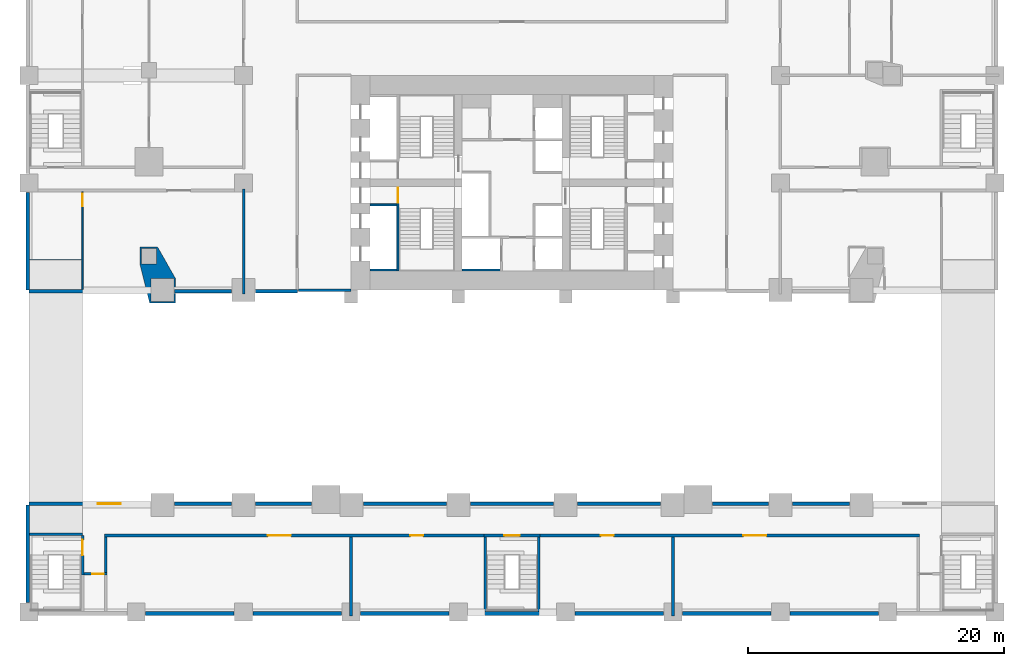
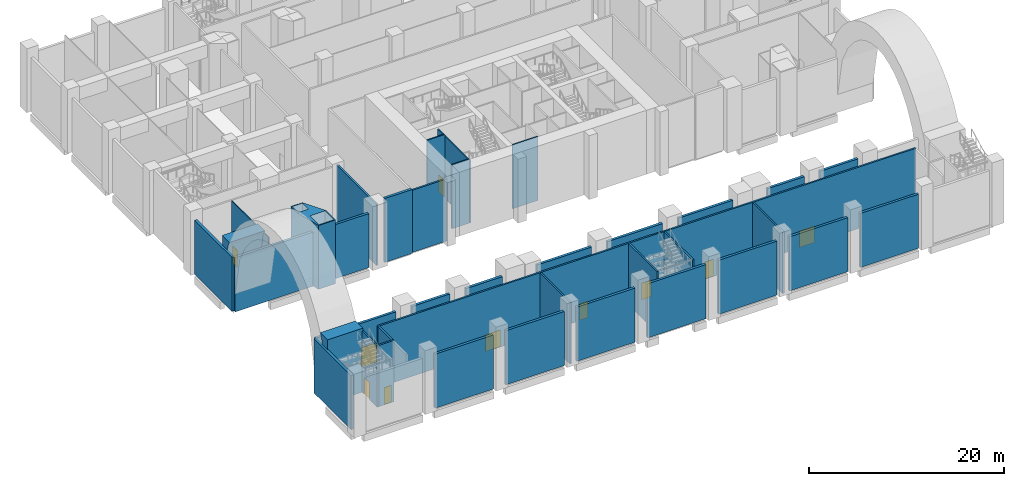
# One storey, part 5 of 19: 40 walls, 9 doors, 1 window, 10 openings.
"""IFC4 building model written with IfcOpenShell, lengths in metres."""

from ifc_helpers import new_model, si_unit, direction, frame, frame_2d, origin, place, context, subcontext, project, spatial, polyline, rectangle, outline, extrude, material, layer, layer_set, type_object, element, fill, save


model = new_model("IFC4")

# Units and contexts
model_context = context("Model", 3, precision=1e-05, world=origin(), true_north=direction((0.0, 1.0)))
body_context = subcontext(model_context, "Body", "Model", "MODEL_VIEW")
ifc_project = project(units=[si_unit("LENGTHUNIT", "METRE"), si_unit("AREAUNIT", "SQUARE_METRE"), si_unit("VOLUMEUNIT", "CUBIC_METRE"), si_unit("PLANEANGLEUNIT", "RADIAN"), si_unit("MASSUNIT", "GRAM", prefix="KILO")], contexts=[model_context])

# Site, building, storey
site_placement = place(None, origin())
site = spatial("IfcSite", under=ifc_project, at=site_placement, CompositionType="ELEMENT")
building_placement = place(site_placement, origin())
building = spatial("IfcBuilding", under=site, at=building_placement, Name="Marenta Gate Hotel Tower", CompositionType="ELEMENT")
storey_placement = place(building_placement, frame((0.0, 0.0, 13.0)))
storey = spatial("IfcBuildingStorey", under=building, at=storey_placement, Name="L02", CompositionType="ELEMENT", Elevation=13.0)

# Walls
ifc_material_1 = material(Name="Concrete C40 board-marked", Category="concrete")
ifc_layer_1 = layer(ifc_material_1, 0.300048828125)
ifc_layer_set_1 = layer_set([ifc_layer_1], Name="Concrete C40 board-marked")
wall_type_1 = type_object("IfcWallType", Name="Board-marked concrete wall 300 mm", PredefinedType="NOTDEFINED", material=ifc_layer_set_1)
for number, where, z_axis, x_axis, name in (
    (1, (-28.659912109375, -25.2900390625, 0.0), (0.0, 0.0, 1.0), (1.0, 0.0, 0.0), "L02-CLD-SB-S001"),
    (2, (-20.260009765625, -25.2900390625, 0.0), (0.0, 0.0, 1.0), (1.0, 0.0, 0.0), "L02-CLD-SB-S002"),
):
    element("IfcWall", number, at=place(storey_placement, frame(where, z_axis=z_axis, x_axis=x_axis)), inside=storey, type_object=wall_type_1, Name=name, PredefinedType="NOTDEFINED", context=body_context, shape_type="SweptSolid", body=[
        extrude(rectangle(XDim=6.919921875, YDim=0.300048828125, at=frame_2d((3.4599609375, 0.0))), origin(), (0.0, 0.0, 1.0), 6.780029296875),
    ])
wall_1_placement = place(storey_placement, frame((-11.860107421875, -25.2900390625, 0.0), z_axis=(0.0, 0.0, 1.0), x_axis=(1.0, 0.0, 0.0)))
element("IfcWall", 3, at=wall_1_placement, inside=storey, type_object=wall_type_1, Name="L02-CLD-SB-S003", PredefinedType="NOTDEFINED", context=body_context, shape_type="SweptSolid", body=[
    extrude(rectangle(XDim=6.920166015625, YDim=0.300048828125, at=frame_2d((3.4599609375, 0.0))), origin(), (0.0, 0.0, 1.0), 6.780029296875),
])
wall_2_placement = place(storey_placement, frame((-3.4599609375, -25.2900390625, 0.0), z_axis=(0.0, 0.0, 1.0), x_axis=(1.0, 0.0, 0.0)))
element("IfcWall", 4, at=wall_2_placement, inside=storey, type_object=wall_type_1, Name="L02-CLD-SB-S004", PredefinedType="NOTDEFINED", context=body_context, shape_type="SweptSolid", body=[
    extrude(rectangle(XDim=6.919921875, YDim=0.300048828125, at=frame_2d((3.4599609375, 0.0))), origin(), (0.0, 0.0, 1.0), 6.780029296875),
])
wall_3_placement = place(storey_placement, frame((4.93994140625, -25.2900390625, 0.0), z_axis=(0.0, 0.0, 1.0), x_axis=(1.0, 0.0, 0.0)))
element("IfcWall", 5, at=wall_3_placement, inside=storey, type_object=wall_type_1, Name="L02-CLD-SB-S005", PredefinedType="NOTDEFINED", context=body_context, shape_type="SweptSolid", body=[
    extrude(rectangle(XDim=6.920166015625, YDim=0.300048828125, at=frame_2d((3.4599609375, 0.0))), origin(), (0.0, 0.0, 1.0), 6.780029296875),
])
for number, where, z_axis, x_axis, name in (
    (6, (13.340087890625, -25.2900390625, 0.0), (0.0, 0.0, 1.0), (1.0, 0.0, 0.0), "L02-CLD-SB-S006"),
    (7, (21.739990234375, -25.2900390625, 0.0), (0.0, 0.0, 1.0), (1.0, 0.0, 0.0), "L02-CLD-SB-S007"),
):
    element("IfcWall", number, at=place(storey_placement, frame(where, z_axis=z_axis, x_axis=x_axis)), inside=storey, type_object=wall_type_1, Name=name, PredefinedType="NOTDEFINED", context=body_context, shape_type="SweptSolid", body=[
        extrude(rectangle(XDim=6.919921875, YDim=0.300048828125, at=frame_2d((3.4599609375, 0.0))), origin(), (0.0, 0.0, 1.0), 6.780029296875),
    ])
wall_4_placement = place(storey_placement, frame((26.423095703125, -16.7099609375, 0.0), z_axis=(0.0, 0.0, 1.0), x_axis=(-1.0, 0.0, 0.0)))
element("IfcWall", 8, at=wall_4_placement, inside=storey, type_object=wall_type_1, Name="L02-CLD-SB-N001", PredefinedType="NOTDEFINED", context=body_context, shape_type="SweptSolid", body=[
    extrude(rectangle(XDim=4.483154296875, YDim=0.300048828125, at=frame_2d((2.24169921875, 0.0))), origin(), (0.0, 0.0, 1.0), 6.780029296875),
])
wall_5_placement = place(storey_placement, frame((20.06005859375, -16.7099609375, 0.0), z_axis=(0.0, 0.0, 1.0), x_axis=(-1.0, 0.0, 0.0)))
element("IfcWall", 9, at=wall_5_placement, inside=storey, type_object=wall_type_1, Name="L02-CLD-SB-N002", PredefinedType="NOTDEFINED", context=body_context, shape_type="SweptSolid", body=[
    extrude(rectangle(XDim=4.353759765625, YDim=0.300048828125, at=frame_2d((2.1767578125, 0.0))), origin(), (0.0, 0.0, 1.0), 6.780029296875),
])
wall_6_placement = place(storey_placement, frame((11.606201171875, -16.7099609375, 0.0), z_axis=(0.0, 0.0, 1.0), x_axis=(-1.0, 0.0, 0.0)))
element("IfcWall", 10, at=wall_6_placement, inside=storey, type_object=wall_type_1, Name="L02-CLD-SB-N003", PredefinedType="NOTDEFINED", context=body_context, shape_type="SweptSolid", body=[
    extrude(rectangle(XDim=6.46630859375, YDim=0.300048828125, at=frame_2d((3.233154296875, 0.0))), origin(), (0.0, 0.0, 1.0), 6.780029296875),
])
wall_7_placement = place(storey_placement, frame((3.260009765625, -16.7099609375, 0.0), z_axis=(0.0, 0.0, 1.0), x_axis=(-1.0, 0.0, 0.0)))
element("IfcWall", 11, at=wall_7_placement, inside=storey, type_object=wall_type_1, Name="L02-CLD-SB-N004", PredefinedType="NOTDEFINED", context=body_context, shape_type="SweptSolid", body=[
    extrude(rectangle(XDim=6.52001953125, YDim=0.300048828125, at=frame_2d((3.260009765625, 0.0))), origin(), (0.0, 0.0, 1.0), 6.780029296875),
])
wall_8_placement = place(storey_placement, frame((-5.139892578125, -16.7099609375, 0.0), z_axis=(0.0, 0.0, 1.0), x_axis=(-1.0, 0.0, 0.0)))
element("IfcWall", 12, at=wall_8_placement, inside=storey, type_object=wall_type_1, Name="L02-CLD-SB-N005", PredefinedType="NOTDEFINED", context=body_context, shape_type="SweptSolid", body=[
    extrude(rectangle(XDim=6.46630859375, YDim=0.300048828125, at=frame_2d((3.233154296875, 0.0))), origin(), (0.0, 0.0, 1.0), 6.780029296875),
])
wall_9_placement = place(storey_placement, frame((-15.706298828125, -16.7099609375, 0.0), z_axis=(0.0, 0.0, 1.0), x_axis=(-1.0, 0.0, 0.0)))
element("IfcWall", 13, at=wall_9_placement, inside=storey, type_object=wall_type_1, Name="L02-CLD-SB-N006", PredefinedType="NOTDEFINED", context=body_context, shape_type="SweptSolid", body=[
    extrude(rectangle(XDim=4.353759765625, YDim=0.300048828125, at=frame_2d((2.1767578125, 0.0))), origin(), (0.0, 0.0, 1.0), 6.780029296875),
])
wall_10_placement = place(storey_placement, frame((-21.93994140625, -16.7099609375, 0.0), z_axis=(0.0, 0.0, 1.0), x_axis=(-1.0, 0.0, 0.0)))
element("IfcWall", 14, at=wall_10_placement, inside=storey, type_object=wall_type_1, Name="L02-CLD-SB-N007", PredefinedType="NOTDEFINED", context=body_context, shape_type="SweptSolid", body=[
    extrude(rectangle(XDim=4.483154296875, YDim=0.300048828125, at=frame_2d((2.24169921875, 0.0))), origin(), (0.0, 0.0, 1.0), 6.780029296875),
])

# Wall, opening, window
wall_11_placement = place(storey_placement, frame((-28.302978515625, -16.7099609375, 0.0), z_axis=(0.0, 0.0, 1.0), x_axis=(-1.0, 0.0, 0.0)))
wall_11 = element("IfcWall", 15, at=wall_11_placement, inside=storey, type_object=wall_type_1, Name="L02-CLD-SB-N008", PredefinedType="NOTDEFINED", context=body_context, shape_type="SweptSolid", body=[
    extrude(rectangle(XDim=9.4970703125, YDim=0.300048828125, at=frame_2d((4.74853515625, 0.0))), origin(), (0.0, 0.0, 1.0), 6.780029296875),
])
opening_1_placement = place(wall_11_placement, frame((2.297119140625, 0.0, 1.199951171875)))
opening_1 = element("IfcOpeningElement", 16, at=opening_1_placement, cuts=wall_11, Name="Opening W5", PredefinedType="OPENING", context=body_context, shape_type="SweptSolid", body=[
    extrude(rectangle(XDim=1.800048828125, YDim=2.39990234375, at=frame_2d((0.89990234375, 1.199951171875))), frame((0.0, 0.14990234375, 0.0), z_axis=(0.0, -1.0, 0.0), x_axis=(1.0, 0.0, 0.0)), (0.0, 0.0, 1.0), 0.300048828125),
])
ifc_material_2 = material(Name="Tinted insulated glass in bronze anodised frame", Category="glass")
window_type = type_object("IfcWindowType", Name="Window W5 1800x2400 bronze frame", PartitioningType="SINGLE_PANEL", PredefinedType="WINDOW", material=ifc_material_2)
window_placement = place(opening_1_placement, origin())
window = element("IfcWindow", 17, at=window_placement, inside=storey, type_object=window_type, Name="Window W5", OverallHeight=2.39990234375, OverallWidth=1.800048828125, PartitioningType="SINGLE_PANEL", PredefinedType="WINDOW", context=body_context, shape_type="SweptSolid", body=[
    extrude(rectangle(XDim=1.800048828125, YDim=2.39990234375, at=frame_2d((0.89990234375, 1.199951171875))), frame((0.0, 0.030029296875, 0.0), z_axis=(0.0, -1.0, 0.0), x_axis=(1.0, 0.0, 0.0)), (0.0, 0.0, 1.0), 0.06005859375),
])
fill(opening_1, window)

# Walls
wall_12_placement = place(storey_placement, frame((-37.889892578125, -16.800048828125, 0.0), z_axis=(0.0, 0.0, 1.0), x_axis=(0.0, -1.0, 0.0)))
element("IfcWall", 18, at=wall_12_placement, inside=storey, type_object=wall_type_1, Name="L02-CLD-SB-W000", PredefinedType="NOTDEFINED", context=body_context, shape_type="SweptSolid", body=[
    extrude(rectangle(XDim=7.659912109375, YDim=0.300048828125, at=frame_2d((3.830078125, 0.0))), origin(), (0.0, 0.0, 1.0), 6.780029296875),
])
wall_13_placement = place(storey_placement, frame((-37.800048828125, -0.090087890625, 0.0), z_axis=(0.0, 0.0, 1.0), x_axis=(1.0, 0.0, 0.0)))
element("IfcWall", 19, at=wall_13_placement, inside=storey, type_object=wall_type_1, Name="L02-CLD-NB-S000", PredefinedType="NOTDEFINED", context=body_context, shape_type="SweptSolid", body=[
    extrude(rectangle(XDim=9.4970703125, YDim=0.300048828125, at=frame_2d((4.74853515625, 0.0))), origin(), (0.0, 0.0, 1.0), 6.780029296875),
])
wall_14_placement = place(storey_placement, frame((-26.423095703125, -0.090087890625, 0.0), z_axis=(0.0, 0.0, 1.0), x_axis=(1.0, 0.0, 0.0)))
element("IfcWall", 20, at=wall_14_placement, inside=storey, type_object=wall_type_1, Name="L02-CLD-NB-S001", PredefinedType="NOTDEFINED", context=body_context, shape_type="SweptSolid", body=[
    extrude(rectangle(XDim=4.483154296875, YDim=0.300048828125, at=frame_2d((2.24169921875, 0.0))), origin(), (0.0, 0.0, 1.0), 6.780029296875),
])
wall_15_placement = place(storey_placement, frame((-20.06005859375, -0.090087890625, 0.0), z_axis=(0.0, 0.0, 1.0), x_axis=(1.0, 0.0, 0.0)))
element("IfcWall", 21, at=wall_15_placement, inside=storey, type_object=wall_type_1, Name="L02-CLD-NB-S002", PredefinedType="NOTDEFINED", context=body_context, shape_type="SweptSolid", body=[
    extrude(rectangle(XDim=3.260009765625, YDim=0.300048828125, at=frame_2d((1.6298828125, 0.0))), origin(), (0.0, 0.0, 1.0), 8.0),
])
wall_16_placement = place(storey_placement, frame((-37.889892578125, 7.659912109375, 0.0), z_axis=(0.0, 0.0, 1.0), x_axis=(0.0, -1.0, 0.0)))
element("IfcWall", 22, at=wall_16_placement, inside=storey, type_object=wall_type_1, Name="L02-CLD-NB-W004", PredefinedType="NOTDEFINED", context=body_context, shape_type="SweptSolid", body=[
    extrude(rectangle(XDim=7.659912109375, YDim=0.300048828125, at=frame_2d((3.830078125, 0.0))), origin(), (0.0, 0.0, 1.0), 6.780029296875),
])
ifc_material_3 = material(Name="Concrete blockwork", Category="masonry")
ifc_layer_2 = layer(ifc_material_3, 0.199951171875)
ifc_layer_set_2 = layer_set([ifc_layer_2], Name="Concrete blockwork")
wall_type_2 = type_object("IfcWallType", Name="Core boundary wall 200 REI 180", PredefinedType="PARTITIONING", material=ifc_layer_set_2)
wall_17_placement = place(storey_placement, frame((-16.699951171875, 0.0, 0.0), z_axis=(0.0, 0.0, 1.0), x_axis=(1.0, 0.0, 0.0)))
element("IfcWall", 23, at=wall_17_placement, inside=storey, type_object=wall_type_2, Name="L02-CP-EW-WS", PredefinedType="PARTITIONING", context=body_context, shape_type="SweptSolid", body=[
    extrude(rectangle(XDim=4.099853515625, YDim=0.199951171875, at=frame_2d((2.0498046875, 0.0))), origin(), (0.0, 0.0, 1.0), 7.780029296875),
])
ifc_material_4 = material(Name="Concrete C40", Category="concrete")
ifc_layer_3 = layer(ifc_material_4, 0.14990234375)
ifc_layer_set_3 = layer_set([ifc_layer_3], Name="Concrete C40")
wall_type_3 = type_object("IfcWallType", Name="Core shaft wall 150 REI 180", PredefinedType="SHEAR", material=ifc_layer_set_3)
for number, where, z_axis, x_axis, name in (
    (24, (-11.10009765625, 6.675048828125, 0.0), (0.0, 0.0, 1.0), (1.0, 0.0, 0.0), "L02-SHF-SW-WS-2"),
    (25, (-11.10009765625, 1.574951171875, 0.0), (0.0, 0.0, 1.0), (1.0, 0.0, 0.0), "L02-SHF-SW-WS-5"),
):
    element("IfcWall", number, at=place(storey_placement, frame(where, z_axis=z_axis, x_axis=x_axis)), inside=storey, type_object=wall_type_3, Name=name, PredefinedType="SHEAR", context=body_context, shape_type="SweptSolid", body=[
        extrude(rectangle(XDim=2.10009765625, YDim=0.14990234375, at=frame_2d((1.050048828125, 0.0))), origin(), (0.0, 0.0, 1.0), 8.0),
    ])
wall_18_placement = place(storey_placement, frame((-3.89990234375, 1.574951171875, 0.0), z_axis=(0.0, 0.0, 1.0), x_axis=(1.0, 0.0, 0.0)))
element("IfcWall", 26, at=wall_18_placement, inside=storey, type_object=wall_type_3, Name="L02-SHF-CW-W-ffs", PredefinedType="SHEAR", context=body_context, shape_type="SweptSolid", body=[
    extrude(rectangle(XDim=3.0, YDim=0.14990234375, at=frame_2d((1.5, 0.0))), origin(), (0.0, 0.0, 1.0), 8.0),
])

# Wall, opening, door
ifc_material_5 = material(Name="Concrete C40", Category="concrete")
ifc_layer_4 = layer(ifc_material_5, 0.14990234375)
ifc_layer_set_4 = layer_set([ifc_layer_4], Name="Concrete C40")
wall_type_4 = type_object("IfcWallType", Name="Core stair enclosure wall 150 REI 180", PredefinedType="SHEAR", material=ifc_layer_set_4)
wall_19_placement = place(storey_placement, frame((-8.925048828125, 1.5, 0.0), z_axis=(0.0, 0.0, 1.0), x_axis=(0.0, 1.0, 0.0)))
wall_19 = element("IfcWall", 27, at=wall_19_placement, inside=storey, type_object=wall_type_4, Name="L02-SHF-SW-WS-3", PredefinedType="SHEAR", context=body_context, shape_type="SweptSolid", body=[
    extrude(rectangle(XDim=6.60009765625, YDim=0.14990234375, at=frame_2d((3.300048828125, 0.0))), origin(), (0.0, 0.0, 1.0), 7.780029296875),
])
opening_2_placement = place(wall_19_placement, frame((5.324951171875, 0.0, 0.0)))
opening_2 = element("IfcOpeningElement", 28, at=opening_2_placement, cuts=wall_19, Name="Opening SD-WS", PredefinedType="OPENING", context=body_context, shape_type="SweptSolid", body=[
    extrude(rectangle(XDim=1.199951171875, YDim=2.10009765625, at=frame_2d((0.60009765625, 1.050048828125))), frame((0.0, 0.074951171875, 0.0), z_axis=(0.0, -1.0, 0.0), x_axis=(1.0, 0.0, 0.0)), (0.0, 0.0, 1.0), 0.14990234375),
])
ifc_material_6 = material(Name="Steel", Category="steel")
door_type_1 = type_object("IfcDoorType", Name="Core stair door 1200x2100 FD60", OperationType="SINGLE_SWING_LEFT", PredefinedType="DOOR", material=ifc_material_6)
door_1_placement = place(opening_2_placement, origin())
door_1 = element("IfcDoor", 29, at=door_1_placement, inside=storey, type_object=door_type_1, Name="SD-WS", OperationType="SINGLE_SWING_LEFT", OverallHeight=2.10009765625, OverallWidth=1.199951171875, PredefinedType="DOOR", context=body_context, shape_type="SweptSolid", body=[
    extrude(rectangle(XDim=1.199951171875, YDim=2.10009765625, at=frame_2d((0.60009765625, 1.050048828125))), frame((0.0, 0.02490234375, 0.0), z_axis=(0.0, -1.0, 0.0), x_axis=(1.0, 0.0, 0.0)), (0.0, 0.0, 1.0), 0.050048828125),
])
fill(opening_2, door_1)

# Walls
ifc_material_7 = material(Name="Concrete C80", Category="concrete")
ifc_layer_5 = layer(ifc_material_7, 4.199951171875)
ifc_layer_set_5 = layer_set([ifc_layer_5], Name="Concrete C80")
wall_type_5 = type_object("IfcWallType", Name="Gate spandrel wall 4200 C80", PredefinedType="SOLIDWALL", material=ifc_layer_set_5)
wall_20_placement = place(storey_placement, frame((-37.800048828125, 2.39990234375, 1.0), z_axis=(-1.0, 0.0, 0.0), x_axis=(0.0, -0.183897703887, 0.982945387346)))
element("IfcWall", 30, at=wall_20_placement, inside=storey, type_object=wall_type_5, Name="PW2 L02-PWL-WG1", PredefinedType="SOLIDWALL", context=body_context, shape_type="SweptSolid", body=[
    extrude(outline(polyline([(0.0, 0.0), (6.525101436908089, 0.0), (7.155521432345924, -0.1820946388872906), (6.880617711423543, 1.287283927206681), (0.0, 0.0)])), origin(), (0.0, 0.0, -1.0), 4.199951171875),
])
wall_21_placement = place(storey_placement, frame((-37.800048828125, -18.0, 7.413818359375), z_axis=(-1.0, 0.0, 0.0), x_axis=(0.0, -0.159774095721, -0.987153604226)))
element("IfcWall", 31, at=wall_21_placement, inside=storey, type_object=wall_type_5, Name="PW2 L02-PWL-WG2", PredefinedType="SOLIDWALL", context=body_context, shape_type="SweptSolid", body=[
    extrude(outline(polyline([(0.0, 0.0), (7.510298627930183, 2.220446049250313e-16), (-0.3869302058779615, 1.2781927657709697), (-0.6257721951606656, -0.19747655031201602), (0.0, 0.0)])), origin(), (0.0, 0.0, -1.0), 4.199951171875),
])
ifc_material_8 = material(Name="Concrete C70", Category="concrete")
ifc_layer_6 = layer(ifc_material_8, 1.60009765625)
ifc_layer_set_6 = layer_set([ifc_layer_6], Name="Concrete C70")
wall_type_6 = type_object("IfcWallType", Name="Pier wall board-marked concrete C70", PredefinedType="SOLIDWALL", material=ifc_layer_set_6)
wall_22_placement = place(storey_placement, origin())
element("IfcWall", 32, at=wall_22_placement, inside=storey, type_object=wall_type_6, Name="L02-PIER-1", PredefinedType="SOLIDWALL", context=body_context, shape_type="SweptSolid", body=[
    extrude(outline(polyline([(-29.1201171875, 2.034423828125), (-29.1201171875, 3.369140625), (-27.730224609375, 3.369140625), (-26.343017578125, 0.931640625), (-26.343017578125, -1.02001953125), (-28.356689453125, -1.02001953125), (-29.1201171875, 2.034423828125)]), holes=[polyline([(-28.262939453125, -0.89990234375), (-26.462890625, -0.89990234375), (-26.462890625, 0.89990234375), (-28.262939453125, 0.89990234375), (-28.262939453125, -0.89990234375)]), polyline([(-29.0, 2.049072265625), (-27.800048828125, 2.049072265625), (-27.800048828125, 3.2490234375), (-29.0, 3.2490234375), (-29.0, 2.049072265625)])]), origin(), (0.0, 0.0, 1.0), 8.0),
])
ifc_material_9 = material(Name="Concrete blockwork", Category="masonry")
ifc_layer_7 = layer(ifc_material_9, 0.199951171875)
ifc_layer_set_7 = layer_set([ifc_layer_7], Name="Concrete blockwork")
wall_type_7 = type_object("IfcWallType", Name="Room corridor wall 200 EI 180", PredefinedType="PARTITIONING", material=ifc_layer_set_7)
wall_23_placement = place(storey_placement, frame((-21.0, -0.300048828125, 0.0), z_axis=(0.0, 0.0, 1.0), x_axis=(0.0, 1.0, 0.0)))
element("IfcWall", 33, at=wall_23_placement, inside=storey, type_object=wall_type_7, Name="L02-PTN-W047", PredefinedType="PARTITIONING", context=body_context, shape_type="SweptSolid", body=[
    extrude(rectangle(XDim=8.199951171875, YDim=0.199951171875, at=frame_2d((4.10009765625, 0.0))), origin(), (0.0, 0.0, 1.0), 7.679931640625),
])

# Wall, openings, doors
ifc_material_10 = material(Name="Gypsum board on steel stud", Category="steel")
ifc_layer_8 = layer(ifc_material_10, 0.199951171875)
ifc_layer_set_8 = layer_set([ifc_layer_8], Name="Gypsum board on steel stud")
wall_type_8 = type_object("IfcWallType", Name="Room corridor wall 200 EI 60", PredefinedType="PARTITIONING", material=ifc_layer_set_8)
wall_24_placement = place(storey_placement, frame((-31.89990234375, -19.199951171875, 0.0), z_axis=(0.0, 0.0, 1.0), x_axis=(1.0, 0.0, 0.0)))
wall_24 = element("IfcWall", 34, at=wall_24_placement, inside=storey, type_object=wall_type_8, Name="L02-PTN-W021", PredefinedType="PARTITIONING", context=body_context, shape_type="SweptSolid", body=[
    extrude(rectangle(XDim=29.699951171875, YDim=0.199951171875, at=frame_2d((14.85009765625, 0.0))), origin(), (0.0, 0.0, 1.0), 7.679931640625),
])
opening_3_placement = place(wall_24_placement, frame((12.800048828125, 0.0, 0.0)))
opening_3 = element("IfcOpeningElement", 35, at=opening_3_placement, cuts=wall_24, Name="Opening S03-22", PredefinedType="OPENING", context=body_context, shape_type="SweptSolid", body=[
    extrude(rectangle(XDim=1.800048828125, YDim=2.10009765625, at=frame_2d((0.89990234375, 1.050048828125))), frame((0.0, 0.10009765625, 0.0), z_axis=(0.0, -1.0, 0.0), x_axis=(1.0, 0.0, 0.0)), (0.0, 0.0, 1.0), 0.199951171875),
])
opening_4_placement = place(wall_24_placement, frame((23.949951171875, 0.0, 0.0)))
opening_4 = element("IfcOpeningElement", 36, at=opening_4_placement, cuts=wall_24, Name="Opening S03-23", PredefinedType="OPENING", context=body_context, shape_type="SweptSolid", body=[
    extrude(rectangle(XDim=1.0, YDim=2.10009765625, at=frame_2d((0.5, 1.050048828125))), frame((0.0, 0.10009765625, 0.0), z_axis=(0.0, -1.0, 0.0), x_axis=(1.0, 0.0, 0.0)), (0.0, 0.0, 1.0), 0.199951171875),
])
ifc_material_11 = material(Name="Timber door leaf", Category="wood")
door_type_2 = type_object("IfcDoorType", Name="Room amenity door 1000x2100 EI 30", OperationType="NOTDEFINED", PredefinedType="DOOR", material=ifc_material_11)
door_2_placement = place(opening_4_placement, origin())
door_2 = element("IfcDoor", 37, at=door_2_placement, inside=storey, type_object=door_type_2, Name="L02-PD-D023", OperationType="SINGLE_SWING_RIGHT", OverallHeight=2.10009765625, OverallWidth=1.0, PredefinedType="DOOR", context=body_context, shape_type="SweptSolid", body=[
    extrude(rectangle(XDim=1.0, YDim=2.10009765625, at=frame_2d((0.5, 1.050048828125))), frame((0.0, 0.02490234375, 0.0), z_axis=(0.0, -1.0, 0.0), x_axis=(1.0, 0.0, 0.0)), (0.0, 0.0, 1.0), 0.050048828125),
])
fill(opening_4, door_2)
ifc_material_12 = material(Name="Timber door leaf", Category="wood")
door_type_3 = type_object("IfcDoorType", Name="Room amenity door 1800x2100 EI 30", OperationType="DOUBLE_DOOR_SINGLE_SWING", PredefinedType="DOOR", material=ifc_material_12)
door_3_placement = place(opening_3_placement, origin())
door_3 = element("IfcDoor", 38, at=door_3_placement, inside=storey, type_object=door_type_3, Name="L02-PD-D022", OperationType="DOUBLE_DOOR_SINGLE_SWING", OverallHeight=2.10009765625, OverallWidth=1.800048828125, PredefinedType="DOOR", context=body_context, shape_type="SweptSolid", body=[
    extrude(rectangle(XDim=1.800048828125, YDim=2.10009765625, at=frame_2d((0.89990234375, 1.050048828125))), frame((0.0, 0.02490234375, 0.0), z_axis=(0.0, -1.0, 0.0), x_axis=(1.0, 0.0, 0.0)), (0.0, 0.0, 1.0), 0.050048828125),
])
fill(opening_3, door_3)

wall_25_placement = place(storey_placement, frame((2.199951171875, -19.199951171875, 0.0), z_axis=(0.0, 0.0, 1.0), x_axis=(1.0, 0.0, 0.0)))
wall_25 = element("IfcWall", 39, at=wall_25_placement, inside=storey, type_object=wall_type_8, Name="L02-PTN-W022", PredefinedType="PARTITIONING", context=body_context, shape_type="SweptSolid", body=[
    extrude(rectangle(XDim=29.699951171875, YDim=0.199951171875, at=frame_2d((14.85009765625, 0.0))), origin(), (0.0, 0.0, 1.0), 7.679931640625),
])
opening_5_placement = place(wall_25_placement, frame((4.75, 0.0, 0.0)))
opening_5 = element("IfcOpeningElement", 40, at=opening_5_placement, cuts=wall_25, Name="Opening S03-24", PredefinedType="OPENING", context=body_context, shape_type="SweptSolid", body=[
    extrude(rectangle(XDim=1.0, YDim=2.10009765625, at=frame_2d((0.5, 1.050048828125))), frame((0.0, 0.10009765625, 0.0), z_axis=(0.0, -1.0, 0.0), x_axis=(1.0, 0.0, 0.0)), (0.0, 0.0, 1.0), 0.199951171875),
])
opening_6_placement = place(wall_25_placement, frame((15.89990234375, 0.0, 0.0)))
opening_6 = element("IfcOpeningElement", 41, at=opening_6_placement, cuts=wall_25, Name="Opening S03-25", PredefinedType="OPENING", context=body_context, shape_type="SweptSolid", body=[
    extrude(rectangle(XDim=1.800048828125, YDim=2.10009765625, at=frame_2d((0.89990234375, 1.050048828125))), frame((0.0, 0.10009765625, 0.0), z_axis=(0.0, -1.0, 0.0), x_axis=(1.0, 0.0, 0.0)), (0.0, 0.0, 1.0), 0.199951171875),
])
door_4_placement = place(opening_5_placement, origin())
door_4 = element("IfcDoor", 42, at=door_4_placement, inside=storey, type_object=door_type_2, Name="L02-PD-D024", OperationType="SINGLE_SWING_LEFT", OverallHeight=2.10009765625, OverallWidth=1.0, PredefinedType="DOOR", context=body_context, shape_type="SweptSolid", body=[
    extrude(rectangle(XDim=1.0, YDim=2.10009765625, at=frame_2d((0.5, 1.050048828125))), frame((0.0, 0.02490234375, 0.0), z_axis=(0.0, -1.0, 0.0), x_axis=(1.0, 0.0, 0.0)), (0.0, 0.0, 1.0), 0.050048828125),
])
fill(opening_5, door_4)
door_5_placement = place(opening_6_placement, origin())
door_5 = element("IfcDoor", 43, at=door_5_placement, inside=storey, type_object=door_type_3, Name="L02-PD-D025", OperationType="DOUBLE_DOOR_SINGLE_SWING", OverallHeight=2.10009765625, OverallWidth=1.800048828125, PredefinedType="DOOR", context=body_context, shape_type="SweptSolid", body=[
    extrude(rectangle(XDim=1.800048828125, YDim=2.10009765625, at=frame_2d((0.89990234375, 1.050048828125))), frame((0.0, 0.02490234375, 0.0), z_axis=(0.0, -1.0, 0.0), x_axis=(1.0, 0.0, 0.0)), (0.0, 0.0, 1.0), 0.050048828125),
])
fill(opening_6, door_5)

# Wall, opening, door
ifc_material_13 = material(Name="Concrete blockwork", Category="masonry")
ifc_layer_9 = layer(ifc_material_13, 0.199951171875)
ifc_layer_set_9 = layer_set([ifc_layer_9], Name="Concrete blockwork")
wall_type_9 = type_object("IfcWallType", Name="Room corridor wall 200 REI 180", PredefinedType="PARTITIONING", material=ifc_layer_set_9)
wall_26_placement = place(storey_placement, frame((-33.5, -22.199951171875, 0.0), z_axis=(0.0, 0.0, 1.0), x_axis=(1.0, 0.0, 0.0)))
wall_26 = element("IfcWall", 44, at=wall_26_placement, inside=storey, type_object=wall_type_9, Name="L02-PTN-W015", PredefinedType="PARTITIONING", context=body_context, shape_type="SweptSolid", body=[
    extrude(rectangle(XDim=1.800048828125, YDim=0.199951171875, at=frame_2d((0.89990234375, 0.0))), origin(), (0.0, 0.0, 1.0), 7.679931640625),
])
opening_7_placement = place(wall_26_placement, frame((0.64990234375, 0.0, 0.0)))
opening_7 = element("IfcOpeningElement", 45, at=opening_7_placement, cuts=wall_26, Name="Opening S03-19", PredefinedType="OPENING", context=body_context, shape_type="SweptSolid", body=[
    extrude(rectangle(XDim=0.89990234375, YDim=2.10009765625, at=frame_2d((0.449951171875, 1.050048828125))), frame((0.0, 0.10009765625, 0.0), z_axis=(0.0, -1.0, 0.0), x_axis=(1.0, 0.0, 0.0)), (0.0, 0.0, 1.0), 0.199951171875),
])
ifc_material_14 = material(Name="Hollow steel door set", Category="steel")
door_type_4 = type_object("IfcDoorType", Name="Room service door 900x2100 EI 60", OperationType="NOTDEFINED", PredefinedType="DOOR", material=ifc_material_14)
door_6_placement = place(opening_7_placement, origin())
door_6 = element("IfcDoor", 46, at=door_6_placement, inside=storey, type_object=door_type_4, Name="L02-PD-D019", OperationType="SINGLE_SWING_LEFT", OverallHeight=2.10009765625, OverallWidth=0.89990234375, PredefinedType="DOOR", context=body_context, shape_type="SweptSolid", body=[
    extrude(rectangle(XDim=0.89990234375, YDim=2.10009765625, at=frame_2d((0.449951171875, 1.050048828125))), frame((0.0, 0.02490234375, 0.0), z_axis=(0.0, -1.0, 0.0), x_axis=(1.0, 0.0, 0.0)), (0.0, 0.0, 1.0), 0.050048828125),
])
fill(opening_7, door_6)

wall_27_placement = place(storey_placement, frame((-2.199951171875, -19.199951171875, 0.0), z_axis=(0.0, 0.0, 1.0), x_axis=(1.0, 0.0, 0.0)))
wall_27 = element("IfcWall", 47, at=wall_27_placement, inside=storey, type_object=wall_type_9, Name="L02-PTN-W023", PredefinedType="PARTITIONING", context=body_context, shape_type="SweptSolid", body=[
    extrude(rectangle(XDim=4.39990234375, YDim=0.199951171875, at=frame_2d((2.199951171875, 0.0))), origin(), (0.0, 0.0, 1.0), 7.679931640625),
])
opening_8_placement = place(wall_27_placement, frame((1.60009765625, 0.0, 0.0)))
opening_8 = element("IfcOpeningElement", 48, at=opening_8_placement, cuts=wall_27, Name="Opening S03-26", PredefinedType="OPENING", context=body_context, shape_type="SweptSolid", body=[
    extrude(rectangle(XDim=1.199951171875, YDim=2.10009765625, at=frame_2d((0.60009765625, 1.050048828125))), frame((0.0, 0.10009765625, 0.0), z_axis=(0.0, -1.0, 0.0), x_axis=(1.0, 0.0, 0.0)), (0.0, 0.0, 1.0), 0.199951171875),
])
ifc_material_15 = material(Name="Hollow steel door set", Category="steel")
door_type_5 = type_object("IfcDoorType", Name="Podium stair door 1200x2100 EI 60", OperationType="NOTDEFINED", PredefinedType="DOOR", material=ifc_material_15)
door_7_placement = place(opening_8_placement, origin())
door_7 = element("IfcDoor", 49, at=door_7_placement, inside=storey, type_object=door_type_5, Name="L02-PD-D026", OperationType="SINGLE_SWING_RIGHT", OverallHeight=2.10009765625, OverallWidth=1.199951171875, PredefinedType="DOOR", context=body_context, shape_type="SweptSolid", body=[
    extrude(rectangle(XDim=1.199951171875, YDim=2.10009765625, at=frame_2d((0.60009765625, 1.050048828125))), frame((0.0, 0.02490234375, 0.0), z_axis=(0.0, -1.0, 0.0), x_axis=(1.0, 0.0, 0.0)), (0.0, 0.0, 1.0), 0.050048828125),
])
fill(opening_8, door_7)

# Wall
wall_28_placement = place(storey_placement, frame((-31.800048828125, -22.10009765625, 0.0), z_axis=(0.0, 0.0, 1.0), x_axis=(0.0, 1.0, 0.0)))
element("IfcWall", 50, at=wall_28_placement, inside=storey, type_object=wall_type_9, Name="L02-PTN-W065", PredefinedType="PARTITIONING", context=body_context, shape_type="SweptSolid", body=[
    extrude(rectangle(XDim=2.800048828125, YDim=0.199951171875, at=frame_2d((1.39990234375, 0.0))), origin(), (0.0, 0.0, 1.0), 7.679931640625),
])

# Wall, opening, door
wall_29_placement = place(storey_placement, frame((-33.60009765625, -22.300048828125, 0.0), z_axis=(0.0, 0.0, 1.0), x_axis=(0.0, 1.0, 0.0)))
wall_29 = element("IfcWall", 51, at=wall_29_placement, inside=storey, type_object=wall_type_9, Name="L02-PTN-W068", PredefinedType="PARTITIONING", context=body_context, shape_type="SweptSolid", body=[
    extrude(rectangle(XDim=3.10009765625, YDim=0.199951171875, at=frame_2d((1.550048828125, 0.0))), origin(), (0.0, 0.0, 1.0), 7.679931640625),
])
opening_9_placement = place(wall_29_placement, frame((1.550048828125, 0.0, 0.0)))
opening_9 = element("IfcOpeningElement", 52, at=opening_9_placement, cuts=wall_29, Name="Opening S03-18", PredefinedType="OPENING", context=body_context, shape_type="SweptSolid", body=[
    extrude(rectangle(XDim=1.199951171875, YDim=2.10009765625, at=frame_2d((0.60009765625, 1.050048828125))), frame((0.0, 0.10009765625, 0.0), z_axis=(0.0, -1.0, 0.0), x_axis=(1.0, 0.0, 0.0)), (0.0, 0.0, 1.0), 0.199951171875),
])
door_8_placement = place(opening_9_placement, origin())
door_8 = element("IfcDoor", 53, at=door_8_placement, inside=storey, type_object=door_type_5, Name="L02-PD-D018", OperationType="SINGLE_SWING_RIGHT", OverallHeight=2.10009765625, OverallWidth=1.199951171875, PredefinedType="DOOR", context=body_context, shape_type="SweptSolid", body=[
    extrude(rectangle(XDim=1.199951171875, YDim=2.10009765625, at=frame_2d((0.60009765625, 1.050048828125))), frame((0.0, 0.02490234375, 0.0), z_axis=(0.0, -1.0, 0.0), x_axis=(1.0, 0.0, 0.0)), (0.0, 0.0, 1.0), 0.050048828125),
])
fill(opening_9, door_8)

ifc_material_16 = material(Name="Gypsum board on steel stud", Category="steel")
ifc_layer_10 = layer(ifc_material_16, 0.10009765625)
ifc_layer_set_10 = layer_set([ifc_layer_10], Name="Gypsum board on steel stud")
wall_type_10 = type_object("IfcWallType", Name="Room partition 100", PredefinedType="PARTITIONING", material=ifc_layer_set_10)
wall_30_placement = place(storey_placement, frame((-33.60009765625, 0.06005859375, 0.0), z_axis=(0.0, 0.0, 1.0), x_axis=(0.0, 1.0, 0.0)))
wall_30 = element("IfcWall", 54, at=wall_30_placement, inside=storey, type_object=wall_type_10, Name="L02-PTN-W069", PredefinedType="PARTITIONING", context=body_context, shape_type="SweptSolid", body=[
    extrude(rectangle(XDim=7.639892578125, YDim=0.10009765625, at=frame_2d((3.81982421875, 0.0))), origin(), (0.0, 0.0, 1.0), 7.679931640625),
])
opening_10_placement = place(wall_30_placement, frame((6.489990234375, 0.0, 0.0)))
opening_10 = element("IfcOpeningElement", 55, at=opening_10_placement, cuts=wall_30, Name="Opening S03-05", PredefinedType="OPENING", context=body_context, shape_type="SweptSolid", body=[
    extrude(rectangle(XDim=1.0, YDim=2.10009765625, at=frame_2d((0.5, 1.050048828125))), frame((0.0, 0.050048828125, 0.0), z_axis=(0.0, -1.0, 0.0), x_axis=(1.0, 0.0, 0.0)), (0.0, 0.0, 1.0), 0.10009765625),
])
ifc_material_17 = material(Name="Hollow steel door set", Category="steel")
door_type_6 = type_object("IfcDoorType", Name="Room service door 1000x2100", OperationType="NOTDEFINED", PredefinedType="DOOR", material=ifc_material_17)
door_9_placement = place(opening_10_placement, origin())
door_9 = element("IfcDoor", 56, at=door_9_placement, inside=storey, type_object=door_type_6, Name="L02-PD-D005", OperationType="SINGLE_SWING_RIGHT", OverallHeight=2.10009765625, OverallWidth=1.0, PredefinedType="DOOR", context=body_context, shape_type="SweptSolid", body=[
    extrude(rectangle(XDim=1.0, YDim=2.10009765625, at=frame_2d((0.5, 1.050048828125))), frame((0.0, 0.02490234375, 0.0), z_axis=(0.0, -1.0, 0.0), x_axis=(1.0, 0.0, 0.0)), (0.0, 0.0, 1.0), 0.050048828125),
])
fill(opening_10, door_9)

# Walls
ifc_material_18 = material(Name="Gypsum board on steel stud", Category="steel")
ifc_layer_11 = layer(ifc_material_18, 0.199951171875)
ifc_layer_set_11 = layer_set([ifc_layer_11], Name="Gypsum board on steel stud")
wall_type_11 = type_object("IfcWallType", Name="Room party wall 200 EI 60", PredefinedType="PARTITIONING", material=ifc_layer_set_11)
for number, where, z_axis, x_axis, name in (
    (57, (12.60009765625, -25.5, 0.0), (0.0, 0.0, 1.0), (0.0, 1.0, 0.0), "L02-PTN-W026"),
    (58, (-12.60009765625, -25.5, 0.0), (0.0, 0.0, 1.0), (0.0, 1.0, 0.0), "L02-PTN-W040"),
):
    element("IfcWall", number, at=place(storey_placement, frame(where, z_axis=z_axis, x_axis=x_axis)), inside=storey, type_object=wall_type_11, Name=name, PredefinedType="PARTITIONING", context=body_context, shape_type="SweptSolid", body=[
        extrude(rectangle(XDim=6.199951171875, YDim=0.199951171875, at=frame_2d((3.10009765625, 0.0))), origin(), (0.0, 0.0, 1.0), 7.679931640625),
    ])
ifc_material_19 = material(Name="Concrete blockwork", Category="masonry")
ifc_layer_12 = layer(ifc_material_19, 0.199951171875)
ifc_layer_set_12 = layer_set([ifc_layer_12], Name="Concrete blockwork")
wall_type_12 = type_object("IfcWallType", Name="Room party wall 200 REI 180", PredefinedType="PARTITIONING", material=ifc_layer_set_12)
for number, where, z_axis, x_axis, name in (
    (59, (2.10009765625, -25.139892578125, 0.0), (0.0, 0.0, 1.0), (0.0, 1.0, 0.0), "L02-PTN-W027"),
    (60, (-2.10009765625, -25.139892578125, 0.0), (0.0, 0.0, 1.0), (0.0, 1.0, 0.0), "L02-PTN-W030"),
):
    element("IfcWall", number, at=place(storey_placement, frame(where, z_axis=z_axis, x_axis=x_axis)), inside=storey, type_object=wall_type_12, Name=name, PredefinedType="PARTITIONING", context=body_context, shape_type="SweptSolid", body=[
        extrude(rectangle(XDim=5.83984375, YDim=0.199951171875, at=frame_2d((2.919921875, 0.0))), origin(), (0.0, 0.0, 1.0), 7.679931640625),
    ])

save(model, "model.ifc")
